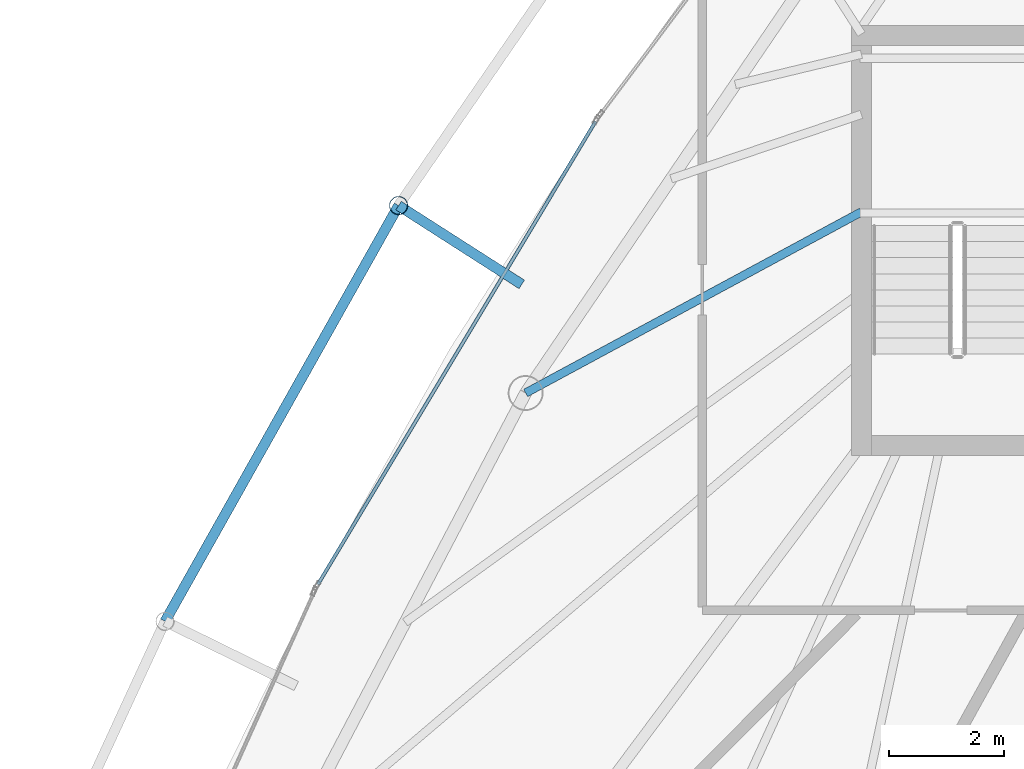
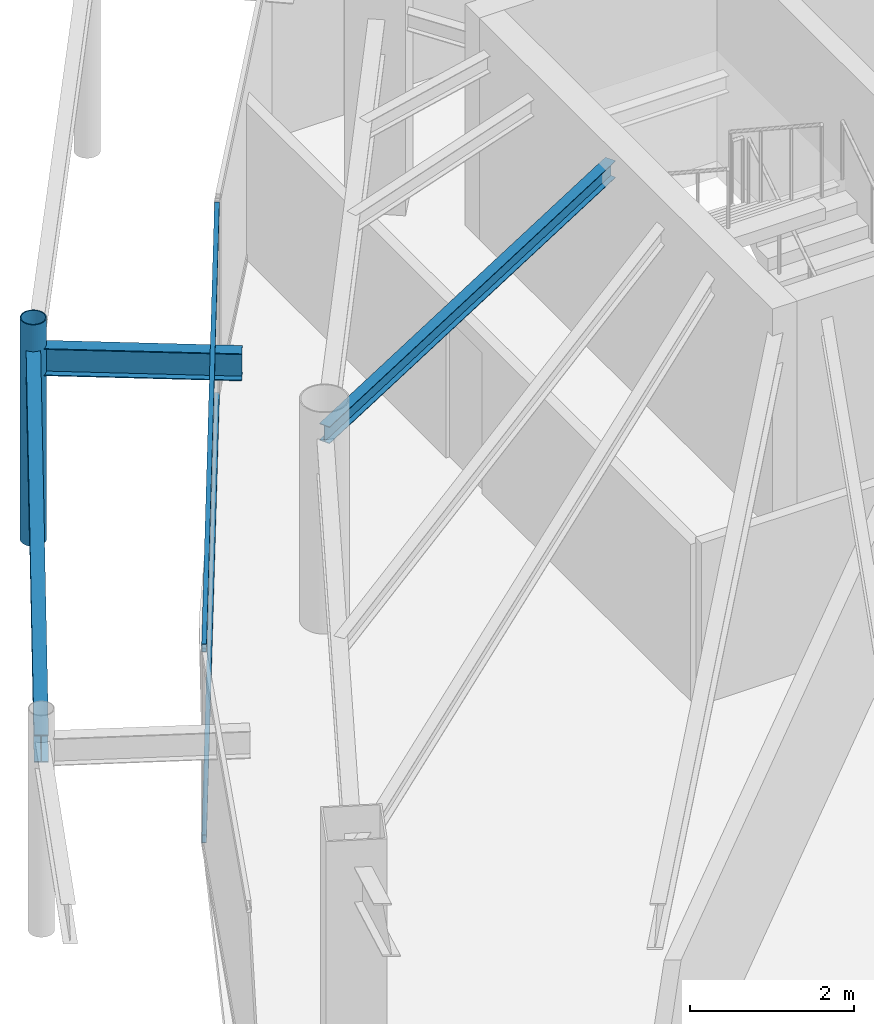
# One storey, part 11 of 29: 3 beams, 3 members, 1 element without a shape of its own.
"""IFC4 building model written with IfcOpenShell, lengths in metres."""

from ifc_helpers import new_model, si_unit, direction, frame, origin, origin_2d, place, context, subcontext, project, spatial, hollow_rectangle, hollow_circle, i_section, extrude, material, layer, layer_set, material_profile, profile_set, type_object, element, aggregate, save


model = new_model("IFC4")

# Units and contexts
model_context = context("Model", 3, precision=1e-05, world=origin(), true_north=direction((0.0, 1.0)))
body_context = subcontext(model_context, "Body", "Model", "MODEL_VIEW")
ifc_project = project(units=[si_unit("LENGTHUNIT", "METRE"), si_unit("AREAUNIT", "SQUARE_METRE"), si_unit("VOLUMEUNIT", "CUBIC_METRE"), si_unit("PLANEANGLEUNIT", "RADIAN"), si_unit("MASSUNIT", "GRAM", prefix="KILO")], contexts=[model_context])

# Site, building, storey
site_placement = place(None, origin())
site = spatial("IfcSite", under=ifc_project, at=site_placement, CompositionType="ELEMENT")
building_placement = place(site_placement, origin())
building = spatial("IfcBuilding", under=site, at=building_placement, Name="Orvanel Arch Residences", CompositionType="ELEMENT")
storey_placement = place(building_placement, frame((0.0, 0.0, 253.550048828125)))
storey = spatial("IfcBuildingStorey", under=building, at=storey_placement, Name="L72", CompositionType="ELEMENT", Elevation=253.550048828125)

# Beams
ifc_material_1 = material(Name="Structural steel AS/NZS 3679.1 Grade 300 (300 MPa)", Category="steel")
ifc_material_profile_1 = material_profile(ifc_material_1, i_section(OverallWidth=0.14599609375, OverallDepth=0.251953125, WebThickness=0.006103515625, FlangeThickness=0.008544921875, at=origin_2d()), Name="250UB31.4")
ifc_profile_set_1 = profile_set([ifc_material_profile_1], Name="Structural steel AS/NZS 3679.1 Grade 300 (300 MPa)")
beam_type_1 = type_object("IfcBeamType", Name="BJ-250UB", PredefinedType="JOIST", material=ifc_profile_set_1)
beam_1_placement = place(storey_placement, frame((26.425048828125, 30.800048828125, 2.77392578125), z_axis=(-0.880111494021, -0.474767056664, 0.0), x_axis=(0.474767056664, -0.880111494021, 0.0)))
element("IfcBeam", 1, at=beam_1_placement, inside=storey, type_object=beam_type_1, Name="L72 NW Wing Floor Joist", PredefinedType="JOIST", context=body_context, shape_type="SweptSolid", body=[
    extrude(i_section(OverallWidth=0.14599609375, OverallDepth=0.251953125, WebThickness=0.006103515625, FlangeThickness=0.008544921875, at=origin_2d()), origin(), (0.0, 0.0, 1.0), 6.653564453125),
])
ifc_material_profile_2 = material_profile(ifc_material_1, i_section(OverallWidth=0.177978515625, OverallDepth=0.406005859375, WebThickness=0.0078125, FlangeThickness=0.0126953125, at=origin_2d()), Name="410UB59.7")
ifc_profile_set_2 = profile_set([ifc_material_profile_2], Name="Structural steel AS/NZS 3679.1 Grade 300 (300 MPa)")
beam_type_2 = type_object("IfcBeamType", Name="OB-410UB-EXT", PredefinedType="SPANDREL", material=ifc_profile_set_2)
beam_2_placement = place(storey_placement, frame((20.501953125, 29.534912109375, 2.697021484375), z_axis=(-0.84221576305, 0.539140620311, 0.0), x_axis=(-0.539140620311, -0.84221576305, 0.0)))
element("IfcBeam", 2, at=beam_2_placement, inside=storey, type_object=beam_type_2, Name="L72 Outer Frame Radial Tie Beam 02", PredefinedType="SPANDREL", context=body_context, shape_type="SweptSolid", body=[
    extrude(i_section(OverallWidth=0.177978515625, OverallDepth=0.406005859375, WebThickness=0.0078125, FlangeThickness=0.0126953125, at=origin_2d()), origin(), (0.0, 0.0, 1.0), 2.55029296875),
])
beam_3_placement = place(storey_placement, frame((18.35400390625, 30.909912109375, 2.697021484375), z_axis=(-0.489742679077, -0.871867024431, 0.0), x_axis=(0.871867024431, -0.489742679077, 0.0)))
element("IfcBeam", 3, at=beam_3_placement, inside=storey, type_object=beam_type_2, Name="L72 Outer Perimeter Floor Ring Beam 02", PredefinedType="SPANDREL", context=body_context, shape_type="SweptSolid", body=[
    extrude(i_section(OverallWidth=0.177978515625, OverallDepth=0.406005859375, WebThickness=0.0078125, FlangeThickness=0.0126953125, at=origin_2d()), origin(), (0.0, 0.0, 1.0), 8.316650390625),
])

# Member
ifc_material_2 = material(Name="Structural steel AS/NZS 1163 C350L0 (Grade 350)", Category="steel")
ifc_material_profile_3 = material_profile(ifc_material_2, hollow_circle(Radius=0.162109375, WallThickness=0.0126953125, at=origin_2d()), Name="CHS324x12.7")
ifc_profile_set_3 = profile_set([ifc_material_profile_3], Name="Structural steel AS/NZS 1163 C350L0 (Grade 350)")
member_type_1 = type_object("IfcMemberType", Name="ST-324CHS-EXT", PredefinedType="STRUT", material=ifc_profile_set_3)
member_1_placement = place(storey_placement, frame((18.35400390625, 30.909912109375, 0.0), z_axis=(0.0, 0.0, 1.0), x_axis=(1.0, 0.0, 0.0)))
element("IfcMember", 4, at=member_1_placement, inside=storey, type_object=member_type_1, Name="L72 Outer Perimeter Frame Post 02", PredefinedType="STRUT", context=body_context, shape_type="SweptSolid", body=[
    extrude(hollow_circle(Radius=0.162109375, WallThickness=0.0126953125, at=origin_2d()), origin(), (0.0, 0.0, 1.0), 3.300048828125),
])

# Curtain wall, members
ifc_material_3 = material(Name="Bronze-anodised aluminium AA6063-T6", Category="aluminium")
ifc_layer = layer(ifc_material_3, 0.175048828125)
ifc_layer_set = layer_set([ifc_layer], Name="Bronze-anodised aluminium AA6063-T6")
curtain_wall_type = type_object("IfcCurtainWallType", Name="CW4-HI-SYS", PredefinedType="NOTDEFINED", material=ifc_layer_set)
curtain_wall_placement = place(storey_placement, origin())
curtain_wall = element("IfcCurtainWall", 5, at=curtain_wall_placement, inside=storey, type_object=curtain_wall_type, Name="L72 CW4-HI-SYS Unitised Curtain Wall", PredefinedType="NOTDEFINED")
ifc_material_profile_4 = material_profile(ifc_material_3, hollow_rectangle(XDim=0.06005859375, YDim=0.1201171875, WallThickness=0.00341796875, at=origin_2d()), Name="ALU120x60x3.5")
ifc_profile_set_4 = profile_set([ifc_material_profile_4], Name="Bronze-anodised aluminium AA6063-T6")
member_type_2 = type_object("IfcMemberType", Name="TRN-120x60", PredefinedType="USERDEFINED", material=ifc_profile_set_4)
member_2_placement = place(storey_placement, frame((21.78857421875, 32.375244140625, 0.030029296875), z_axis=(-0.514350793048, -0.857579886478, 0.0), x_axis=(0.857579886478, -0.514350793048, 0.0)))
member_2 = element("IfcMember", 6, at=member_2_placement, type_object=member_type_2, Name="CW-S4 transom 1.1", ObjectType="TRANSOM", PredefinedType="USERDEFINED", context=body_context, shape_type="SweptSolid", body=[
    extrude(hollow_rectangle(XDim=0.06005859375, YDim=0.1201171875, WallThickness=0.00341796875, at=origin_2d()), origin(), (0.0, 0.0, 1.0), 9.412109375),
])
member_3_placement = place(storey_placement, frame((21.78857421875, 32.375244140625, 2.869873046875), z_axis=(-0.514350793048, -0.857579886478, 0.0), x_axis=(0.857579886478, -0.514350793048, 0.0)))
member_3 = element("IfcMember", 7, at=member_3_placement, type_object=member_type_2, Name="CW-S4 transom 1.2", ObjectType="TRANSOM", PredefinedType="USERDEFINED", context=body_context, shape_type="SweptSolid", body=[
    extrude(hollow_rectangle(XDim=0.06005859375, YDim=0.1201171875, WallThickness=0.00341796875, at=origin_2d()), origin(), (0.0, 0.0, 1.0), 9.412109375),
])
aggregate(curtain_wall, [member_2, member_3])

save(model, "model.ifc")
